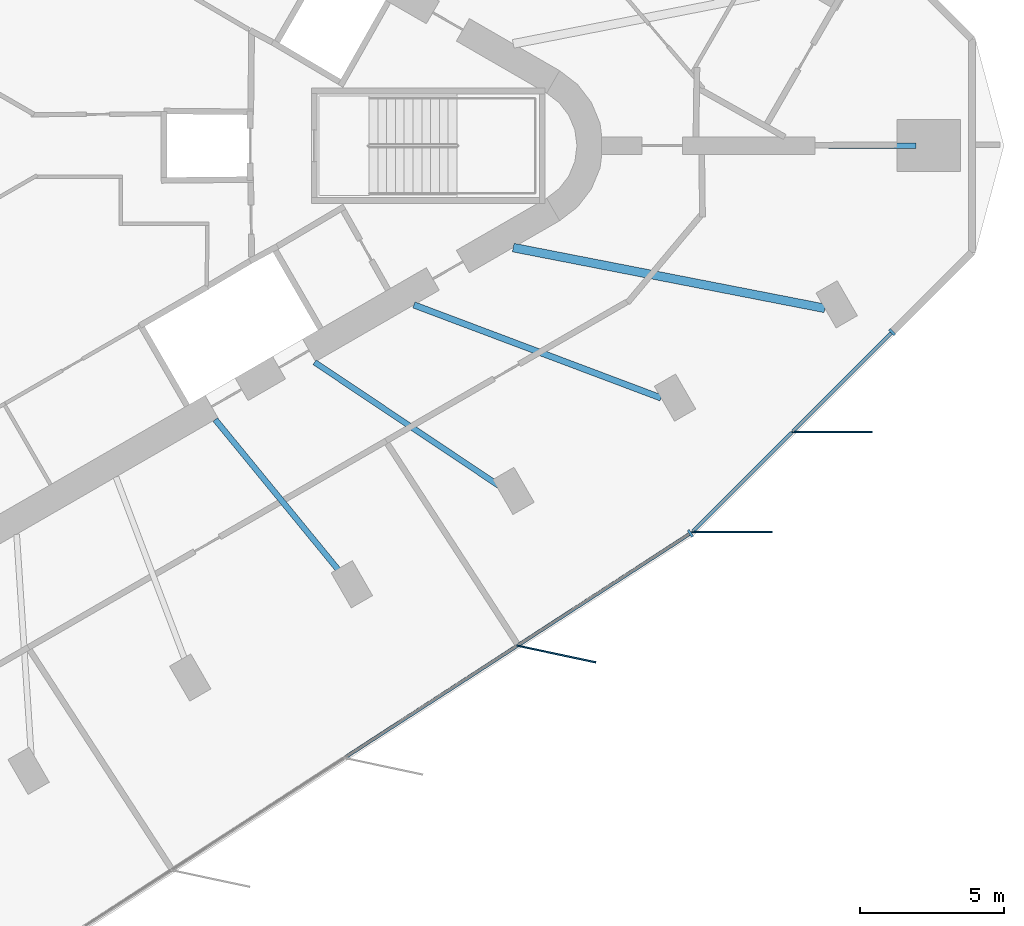
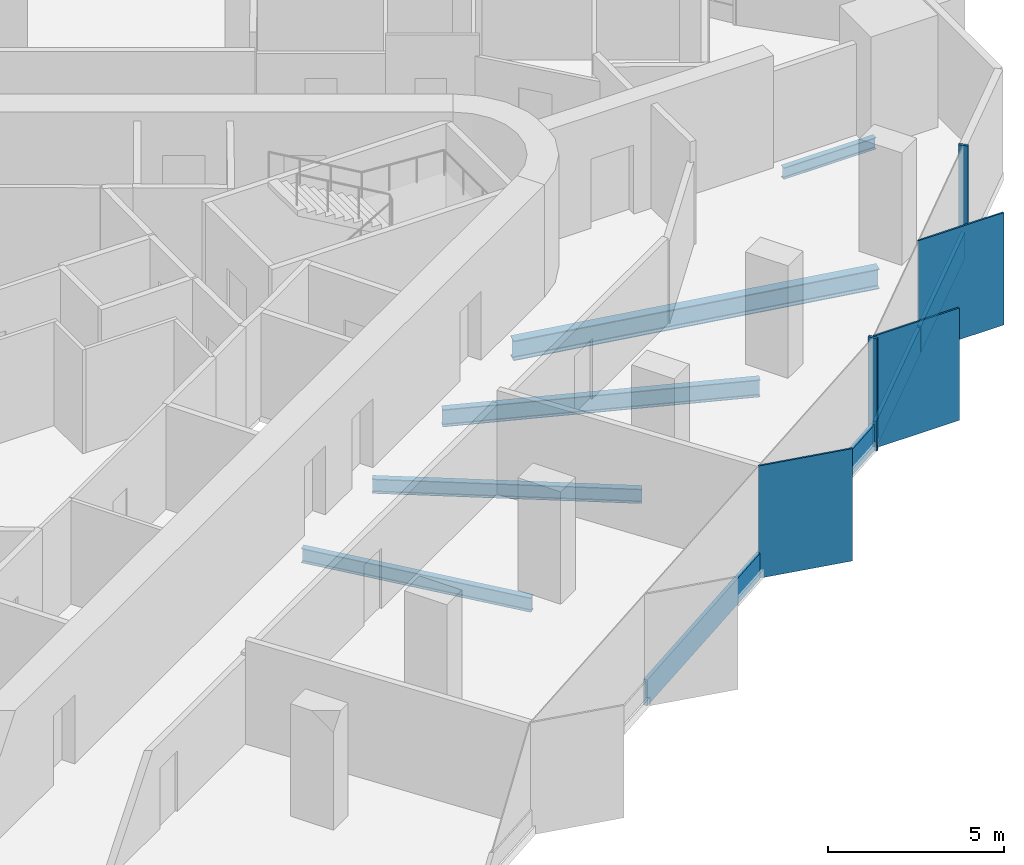
# One storey, part 3 of 12: 9 members, 5 beams, 2 elements without a shape of their own.
"""IFC4 building model written with IfcOpenShell, lengths in metres."""

from ifc_helpers import new_model, si_unit, direction, frame, origin, origin_2d, place, context, subcontext, project, spatial, rectangle, i_section, extrude, material, material_profile, profile_set, type_object, element, aggregate, save


model = new_model("IFC4")

# Units and contexts
model_context = context("Model", 3, precision=1e-05, world=origin(), true_north=direction((0.0, 1.0)))
body_context = subcontext(model_context, "Body", "Model", "MODEL_VIEW")
ifc_project = project(units=[si_unit("LENGTHUNIT", "METRE"), si_unit("AREAUNIT", "SQUARE_METRE"), si_unit("VOLUMEUNIT", "CUBIC_METRE"), si_unit("PLANEANGLEUNIT", "RADIAN"), si_unit("MASSUNIT", "GRAM", prefix="KILO")], contexts=[model_context])

# Site, building, storey
site_placement = place(None, origin())
site = spatial("IfcSite", under=ifc_project, at=site_placement, CompositionType="ELEMENT")
building_placement = place(site_placement, origin())
building = spatial("IfcBuilding", under=site, at=building_placement, Name="Tanit Gate Tower", CompositionType="ELEMENT")
storey_placement = place(building_placement, frame((0.0, 0.0, 357.199951171875)))
storey = spatial("IfcBuildingStorey", under=building, at=storey_placement, Name="L81", CompositionType="ELEMENT", Elevation=357.199951171875)

# Curtain wall, member
ifc_material_1 = material(Name="Aluminium bronze anodised and glass", Category="aluminium")
curtain_wall_type = type_object("IfcCurtainWallType", Name="Curtain wall typical high", PredefinedType="NOTDEFINED", material=ifc_material_1)
curtain_wall_1_placement = place(storey_placement, origin())
curtain_wall_1 = element("IfcCurtainWall", 1, at=curtain_wall_1_placement, inside=storey, type_object=curtain_wall_type, Name="Curtain wall L81 SE2", PredefinedType="NOTDEFINED")
ifc_material_2 = material(Name="Aluminium bronze anodised", Category="aluminium")
ifc_material_profile_1 = material_profile(ifc_material_2, rectangle(XDim=2.800048828125, YDim=0.055908203125, at=origin_2d()), Name="56x2800 bronze fin mullion")
ifc_profile_set_1 = profile_set([ifc_material_profile_1], Name="Aluminium bronze anodised")
member_type_1 = type_object("IfcMemberType", Name="FIN MULLION 56x2800 bronze", PredefinedType="MULLION", material=ifc_profile_set_1)
member_1_placement = place(storey_placement, frame((19.586181640625, -17.604736328125, -0.300048828125), z_axis=(0.0, 0.0, 1.0), x_axis=(-0.978049407445, 0.208373118697, 0.0)))
member_1 = element("IfcMember", 2, at=member_1_placement, type_object=member_type_1, Name="Fin mullion L81 SE2.4", PredefinedType="MULLION", context=body_context, shape_type="SweptSolid", body=[
    extrude(rectangle(XDim=2.800048828125, YDim=0.055908203125, at=origin_2d()), origin(), (0.0, 0.0, 1.0), 3.900146484375),
])

# Curtain wall, members
curtain_wall_2_placement = place(storey_placement, origin())
curtain_wall_2 = element("IfcCurtainWall", 3, at=curtain_wall_2_placement, inside=storey, type_object=curtain_wall_type, Name="Curtain wall L81 SE3", PredefinedType="NOTDEFINED")
member_2_placement = place(storey_placement, frame((25.670654296875, -13.380126953125, -0.300048828125), z_axis=(0.0, 0.0, 1.0), x_axis=(-0.999999950789, 0.000313723102, 0.0)))
member_2 = element("IfcMember", 4, at=member_2_placement, type_object=member_type_1, Name="Fin mullion L81 SE3.1", PredefinedType="MULLION", context=body_context, shape_type="SweptSolid", body=[
    extrude(rectangle(XDim=2.800048828125, YDim=0.055908203125, at=origin_2d()), origin(), (0.0, 0.0, 1.0), 3.900146484375),
])
member_3_placement = place(storey_placement, frame((29.134521484375, -9.918212890625, -0.300048828125), z_axis=(0.0, 0.0, 1.0), x_axis=(-0.999999950789, 0.000313723102, 0.0)))
member_3 = element("IfcMember", 5, at=member_3_placement, type_object=member_type_1, Name="Fin mullion L81 SE3.2", PredefinedType="MULLION", context=body_context, shape_type="SweptSolid", body=[
    extrude(rectangle(XDim=2.800048828125, YDim=0.055908203125, at=origin_2d()), origin(), (0.0, 0.0, 1.0), 3.900146484375),
])

# Member
ifc_material_3 = material(Name="Aluminium bronze anodised", Category="aluminium")
ifc_material_profile_2 = material_profile(ifc_material_3, rectangle(XDim=0.280029296875, YDim=0.080078125, at=origin_2d()), Name="80x280 bronze mullion")
ifc_profile_set_2 = profile_set([ifc_material_profile_2], Name="Aluminium bronze anodised")
member_type_2 = type_object("IfcMemberType", Name="Mullion 80x280 typical high", PredefinedType="MULLION", material=ifc_profile_set_2)
member_4_placement = place(storey_placement, frame((24.228515625, -13.4296875, -0.300048828125), z_axis=(0.0, 0.0, 1.0), x_axis=(-0.544243323092, 0.838927413588, 0.0)))
member_4 = element("IfcMember", 6, at=member_4_placement, type_object=member_type_2, Name="Mullion L81 SE2.5", PredefinedType="MULLION", context=body_context, shape_type="SweptSolid", body=[
    extrude(rectangle(XDim=0.280029296875, YDim=0.080078125, at=origin_2d()), origin(), (0.0, 0.0, 1.0), 3.900146484375),
])

member_5_placement = place(storey_placement, frame((31.21826171875, -6.4560546875, -0.300048828125), z_axis=(0.0, 0.0, 1.0), x_axis=(-0.706884910656, 0.707328582122, 0.0)))
member_5 = element("IfcMember", 7, at=member_5_placement, type_object=member_type_2, Name="Mullion L81 SE3.3", PredefinedType="MULLION", context=body_context, shape_type="SweptSolid", body=[
    extrude(rectangle(XDim=0.280029296875, YDim=0.080078125, at=origin_2d()), origin(), (0.0, 0.0, 1.0), 3.900146484375),
])

# Beams
ifc_material_4 = material(Name="Steel S355", Category="steel")
ifc_material_profile_3 = material_profile(ifc_material_4, i_section(OverallWidth=0.300048828125, OverallDepth=0.68994140625, WebThickness=0.014404296875, FlangeThickness=0.027099609375, FilletRadius=0.027099609375, at=origin_2d()), Name="HEA 700")
ifc_profile_set_3 = profile_set([ifc_material_profile_3], Name="Steel S355")
beam_type_1 = type_object("IfcBeamType", Name="RADIAL GIRDER HEA 700 S355", PredefinedType="BEAM", material=ifc_profile_set_3)
beam_1_placement = place(storey_placement, frame((28.885498046875, -5.6337890625, -0.64501953125), z_axis=(-0.981508704714, 0.191417508528, 0.0), x_axis=(-0.191417508528, -0.981508704714, 0.0)))
element("IfcBeam", 8, at=beam_1_placement, inside=storey, type_object=beam_type_1, Name="RADIAL GIRDER", PredefinedType="BEAM", context=body_context, shape_type="SweptSolid", body=[
    extrude(i_section(OverallWidth=0.300048828125, OverallDepth=0.68994140625, WebThickness=0.014404296875, FlangeThickness=0.027099609375, FilletRadius=0.027099609375, at=origin_2d()), origin(), (0.0, 0.0, 1.0), 10.996826171875),
])
ifc_material_5 = material(Name="Steel S355", Category="steel")
ifc_material_profile_4 = material_profile(ifc_material_5, i_section(OverallWidth=0.179931640625, OverallDepth=0.39990234375, WebThickness=0.008544921875, FlangeThickness=0.013427734375, FilletRadius=0.02099609375, at=origin_2d()), Name="IPE 400")
ifc_profile_set_4 = profile_set([ifc_material_profile_4], Name="Steel S355")
beam_type_2 = type_object("IfcBeamType", Name="RADIAL GIRDER IPE 400 S355", PredefinedType="BEAM", material=ifc_profile_set_4)
beam_2_placement = place(storey_placement, frame((32.039306640625, 0.0, -0.5), z_axis=(-1.0, 0.0, 0.0), x_axis=(0.0, -1.0, 0.0)))
element("IfcBeam", 9, at=beam_2_placement, inside=storey, type_object=beam_type_2, Name="RADIAL GIRDER", PredefinedType="BEAM", context=body_context, shape_type="SweptSolid", body=[
    extrude(i_section(OverallWidth=0.179931640625, OverallDepth=0.39990234375, WebThickness=0.008544921875, FlangeThickness=0.013427734375, FilletRadius=0.02099609375, at=origin_2d()), origin(), (0.0, 0.0, 1.0), 3.034912109375),
])
ifc_material_6 = material(Name="Steel S355", Category="steel")
ifc_material_profile_5 = material_profile(ifc_material_6, i_section(OverallWidth=0.199951171875, OverallDepth=0.5, WebThickness=0.01025390625, FlangeThickness=0.01611328125, FilletRadius=0.02099609375, at=origin_2d()), Name="IPE 500")
ifc_profile_set_5 = profile_set([ifc_material_profile_5], Name="Steel S355")
beam_type_3 = type_object("IfcBeamType", Name="RADIAL GIRDER IPE 500 S355", PredefinedType="BEAM", material=ifc_profile_set_5)
beam_3_placement = place(storey_placement, frame((12.1953125, -14.888916015625, -0.550048828125), z_axis=(-0.633668026137, 0.773605088305, 0.0), x_axis=(-0.773605088305, -0.633668026137, 0.0)))
element("IfcBeam", 10, at=beam_3_placement, inside=storey, type_object=beam_type_3, Name="RADIAL GIRDER", PredefinedType="BEAM", context=body_context, shape_type="SweptSolid", body=[
    extrude(i_section(OverallWidth=0.199951171875, OverallDepth=0.5, WebThickness=0.01025390625, FlangeThickness=0.01611328125, FilletRadius=0.02099609375, at=origin_2d()), origin(), (0.0, 0.0, 1.0), 6.982177734375),
])
beam_4_placement = place(storey_placement, frame((17.59423828125, -11.771728515625, -0.550048828125), z_axis=(-0.831129673439, 0.556078650849, 0.0), x_axis=(-0.556078650849, -0.831129673439, 0.0)))
element("IfcBeam", 11, at=beam_4_placement, inside=storey, type_object=beam_type_3, Name="RADIAL GIRDER", PredefinedType="BEAM", context=body_context, shape_type="SweptSolid", body=[
    extrude(i_section(OverallWidth=0.199951171875, OverallDepth=0.5, WebThickness=0.01025390625, FlangeThickness=0.01611328125, FilletRadius=0.02099609375, at=origin_2d()), origin(), (0.0, 0.0, 1.0), 7.6796875),
])
ifc_material_7 = material(Name="Steel S355", Category="steel")
ifc_material_profile_6 = material_profile(ifc_material_7, i_section(OverallWidth=0.219970703125, OverallDepth=0.60009765625, WebThickness=0.011962890625, FlangeThickness=0.01904296875, FilletRadius=0.02392578125, at=origin_2d()), Name="IPE 600")
ifc_profile_set_6 = profile_set([ifc_material_profile_6], Name="Steel S355")
beam_type_4 = type_object("IfcBeamType", Name="RADIAL GIRDER IPE 600 S355", PredefinedType="BEAM", material=ifc_profile_set_6)
beam_5_placement = place(storey_placement, frame((23.213623046875, -8.73779296875, -0.599853515625), z_axis=(-0.935888654917, 0.352295934688, 0.0), x_axis=(-0.352295934688, -0.935888654917, 0.0)))
element("IfcBeam", 12, at=beam_5_placement, inside=storey, type_object=beam_type_4, Name="RADIAL GIRDER", PredefinedType="BEAM", context=body_context, shape_type="SweptSolid", body=[
    extrude(i_section(OverallWidth=0.219970703125, OverallDepth=0.60009765625, WebThickness=0.011962890625, FlangeThickness=0.01904296875, FilletRadius=0.02392578125, at=origin_2d()), origin(), (0.0, 0.0, 1.0), 9.148193359375),
])

# Member
ifc_material_8 = material(Name="Aluminium bronze anodised", Category="aluminium")
ifc_material_profile_7 = material_profile(ifc_material_8, rectangle(XDim=0.1201171875, YDim=0.89990234375, at=origin_2d()), Name="120x900 bronze transom")
ifc_profile_set_7 = profile_set([ifc_material_profile_7], Name="Aluminium bronze anodised")
member_type_3 = type_object("IfcMemberType", Name="Transom 120x900 typical high", PredefinedType="USERDEFINED", material=ifc_profile_set_7)
member_6_placement = place(storey_placement, frame((12.27734375, -21.182861328125, 0.150146484375), z_axis=(0.838925030497, 0.544246996505, 0.0), x_axis=(-0.544246996505, 0.838925030497, 0.0)))
member_6 = element("IfcMember", 13, at=member_6_placement, type_object=member_type_3, Name="Transom L81 SE2.3", ObjectType="TRANSOM", PredefinedType="USERDEFINED", context=body_context, shape_type="SweptSolid", body=[
    extrude(rectangle(XDim=0.1201171875, YDim=0.89990234375, at=origin_2d()), origin(), (0.0, 0.0, 1.0), 7.06298828125),
])

member_7_placement = place(storey_placement, frame((18.269775390625, -17.29541015625, 0.150146484375), z_axis=(0.838914791337, 0.544262779249, 0.0), x_axis=(-0.544262779249, 0.838914791337, 0.0)))
member_7 = element("IfcMember", 14, at=member_7_placement, type_object=member_type_3, Name="Transom L81 SE2.4", ObjectType="TRANSOM", PredefinedType="USERDEFINED", context=body_context, shape_type="SweptSolid", body=[
    extrude(rectangle(XDim=0.1201171875, YDim=0.89990234375, at=origin_2d()), origin(), (0.0, 0.0, 1.0), 7.062744140625),
])

aggregate(curtain_wall_1, [member_1, member_4, member_6, member_7])

member_8_placement = place(storey_placement, frame((24.318603515625, -13.351318359375, 0.150146484375), z_axis=(0.707334802489, 0.70687868633, 0.0), x_axis=(-0.70687868633, 0.707334802489, 0.0)))
member_8 = element("IfcMember", 15, at=member_8_placement, type_object=member_type_3, Name="Transom L81 SE3.1", ObjectType="TRANSOM", PredefinedType="USERDEFINED", context=body_context, shape_type="SweptSolid", body=[
    extrude(rectangle(XDim=0.1201171875, YDim=0.89990234375, at=origin_2d()), origin(), (0.0, 0.0, 1.0), 4.8173828125),
])

member_9_placement = place(storey_placement, frame((27.782470703125, -9.8896484375, 0.150146484375), z_axis=(0.707334802489, 0.70687868633, 0.0), x_axis=(-0.70687868633, 0.707334802489, 0.0)))
member_9 = element("IfcMember", 16, at=member_9_placement, type_object=member_type_3, Name="Transom L81 SE3.2", ObjectType="TRANSOM", PredefinedType="USERDEFINED", context=body_context, shape_type="SweptSolid", body=[
    extrude(rectangle(XDim=0.1201171875, YDim=0.89990234375, at=origin_2d()), origin(), (0.0, 0.0, 1.0), 4.8173828125),
])

aggregate(curtain_wall_2, [member_2, member_3, member_5, member_8, member_9])

save(model, "model.ifc")
